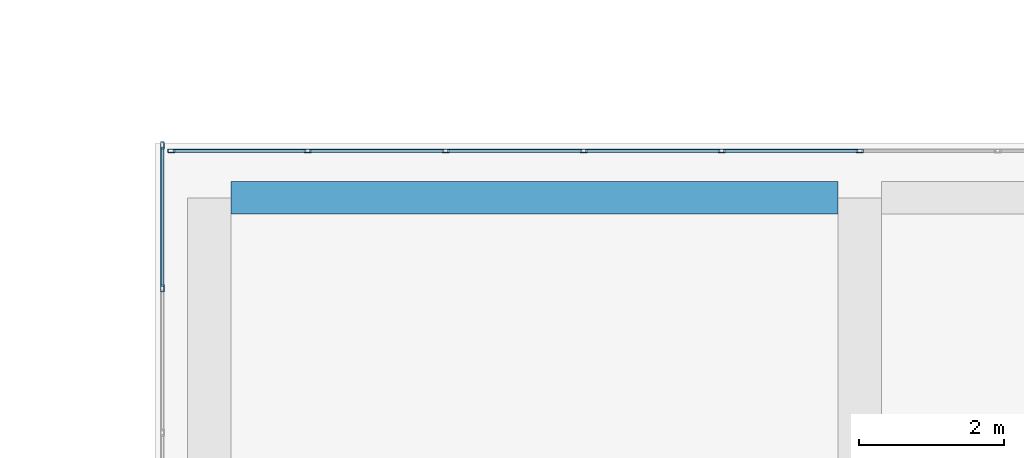
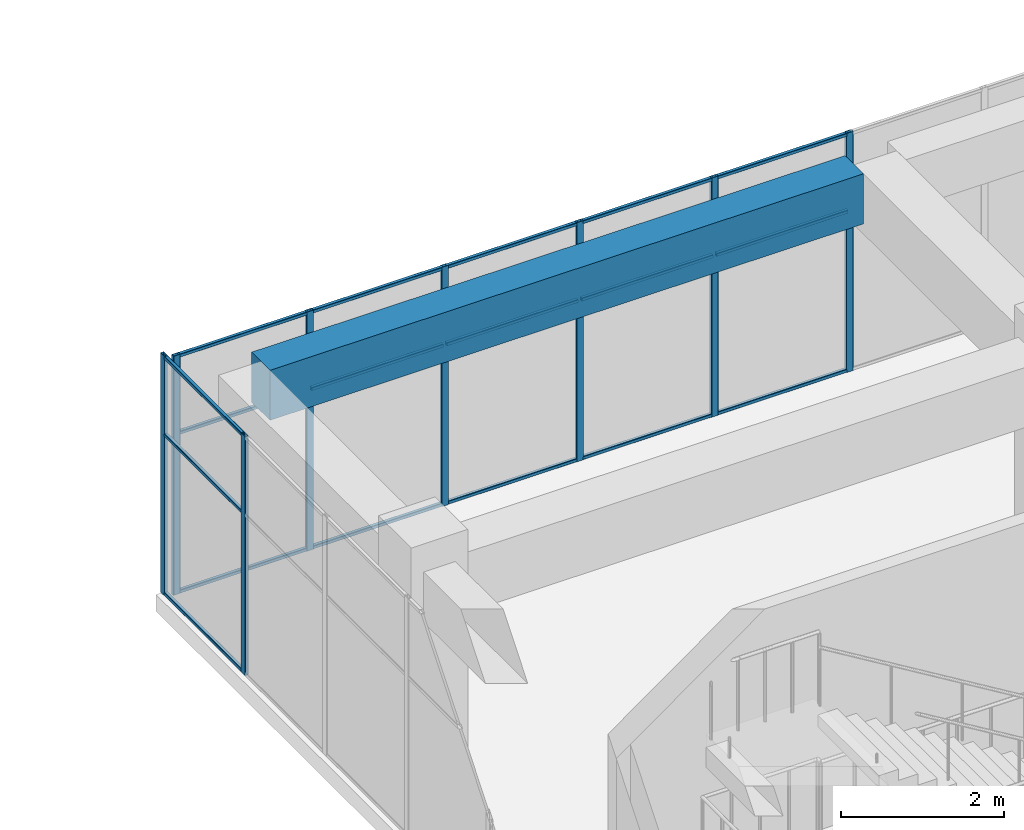
# One storey, part 42 of 72: 26 members, 1 beam, 2 elements without a shape of their own.
"""IFC4 building model written with IfcOpenShell, lengths in metres."""

import ifcopenshell
import ifcopenshell.guid

model = None  # the IFC model being written
_history = None  # IfcOwnerHistory: only IFC2X3 demands one
_inside = {}  # id of a spatial element -> (the spatial element, [elements in it])
_under = {}  # id of a project, library or spatial element -> (it, [spatial elements below it])
_declared = {}  # id of a project -> (the project, [libraries it declares])
_typed = {}  # id of a type object -> (the type object, [elements of that type])
_made_of = {}  # id of a material, layer set ... -> (it, [elements and type objects made of it])


def new_model(schema):
    """Start an empty IFC model of exactly this schema.

    Asked for "IFC4X3", IfcOpenShell would pick the latest addendum, in which some entities
    have other attributes; the version numbers below select the first issue.
    IFC2X3 requires an IfcOwnerHistory on every rooted entity: one is made here for all.
    """
    global model, _history
    if schema == "IFC4X3":
        model = ifcopenshell.file(schema_version=(4, 3, 0, 0))
    else:
        model = ifcopenshell.file(schema=schema)
    _inside.clear()
    _under.clear()
    _declared.clear()
    _typed.clear()
    _made_of.clear()
    _history = None
    if model.schema == "IFC2X3":
        org = make("IfcOrganization", Name="unknown")
        user = make(
            "IfcPersonAndOrganization",
            ThePerson=make("IfcPerson", FamilyName="unknown"),
            TheOrganization=org,
        )
        app = make(
            "IfcApplication",
            ApplicationDeveloper=org,
            Version="unknown",
            ApplicationFullName="unknown",
            ApplicationIdentifier="unknown",
        )
        _history = make(
            "IfcOwnerHistory",
            OwningUser=user,
            OwningApplication=app,
            ChangeAction="ADDED",
            CreationDate=0,
        )
    return model


def make(cls, **values):
    """One entity of the class cls with the attributes given. An attribute that is None is left unset."""
    return model.create_entity(
        cls, **{name: value for name, value in values.items() if value is not None}
    )


def rooted(cls, **values):
    """An entity with a GlobalId (a new one), such as an element, a storey or a relation."""
    return make(cls, GlobalId=ifcopenshell.guid.new(), OwnerHistory=_history, **values)


def si_unit(unit_type, name, prefix=None):
    """IfcSIUnit, for example si_unit("LENGTHUNIT", "METRE", prefix="MILLI")."""
    return make("IfcSIUnit", UnitType=unit_type, Prefix=prefix, Name=name)


def assignment(units):
    """IfcUnitAssignment: the units of a project."""
    return None if units is None else make("IfcUnitAssignment", Units=units)


def point(xyz):
    """IfcCartesianPoint."""
    return None if xyz is None else make("IfcCartesianPoint", Coordinates=xyz)


def direction(xyz):
    """IfcDirection."""
    return None if xyz is None else make("IfcDirection", DirectionRatios=xyz)


def frame(location, z_axis=None, x_axis=None):
    """IfcAxis2Placement3D, a coordinate frame: its origin and axes. An axis left out is left unset."""
    return make(
        "IfcAxis2Placement3D",
        Location=point(location),
        Axis=direction(z_axis),
        RefDirection=direction(x_axis),
    )


def frame_2d(location, x_axis=None):
    """IfcAxis2Placement2D, a coordinate frame in the plane: its origin and x axis."""
    return make(
        "IfcAxis2Placement2D", Location=point(location), RefDirection=direction(x_axis)
    )


def origin():
    """The frame at (0, 0, 0) with its axes left unset."""
    return frame((0.0, 0.0, 0.0))


def origin_2d():
    """The frame at (0, 0) in the plane with its x axis left unset."""
    return frame_2d((0.0, 0.0))


def place(relative_to, where):
    """IfcLocalPlacement: puts the frame where relative to a parent placement (None: the world)."""
    return make(
        "IfcLocalPlacement", PlacementRelTo=relative_to, RelativePlacement=where
    )


def context(
    kind, dimensions, precision=None, world=None, true_north=None, identifier=None
):
    """IfcGeometricRepresentationContext, for example the 3D "Model" context."""
    return make(
        "IfcGeometricRepresentationContext",
        ContextIdentifier=identifier,
        ContextType=kind,
        CoordinateSpaceDimension=dimensions,
        Precision=precision,
        WorldCoordinateSystem=world,
        TrueNorth=true_north,
    )


def subcontext(parent, identifier, kind, view, scale=None):
    """IfcGeometricRepresentationSubContext, for example "Body" below "Model"."""
    return make(
        "IfcGeometricRepresentationSubContext",
        ContextIdentifier=identifier,
        ContextType=kind,
        ParentContext=parent,
        TargetScale=scale,
        TargetView=view,
    )


def project(units=None, contexts=None):
    """IfcProject with its units and contexts."""
    return rooted(
        "IfcProject",
        Name="project",
        RepresentationContexts=contexts,
        UnitsInContext=assignment(units),
    )


def spatial(cls, under=None, at=None, **own):
    """A site, building, storey or space (cls), placed at a placement, below another one or the project."""
    s = rooted(cls, ObjectPlacement=at, **own)
    if under is not None:
        _under.setdefault(under.id(), (under, []))[1].append(s)
    return s


def profile(cls, at=None, kind="AREA", **sizes):
    """A parametric profile (cls). Its sizes go by their IFC names, for example OverallWidth=200.0."""
    return make(cls, ProfileType=kind, Position=at, **sizes)


def rectangle(**sizes):
    """IfcRectangleProfileDef."""
    return profile("IfcRectangleProfileDef", **sizes)


def hollow_rectangle(**sizes):
    """IfcRectangleHollowProfileDef."""
    return profile("IfcRectangleHollowProfileDef", **sizes)


def extrude(swept, where, along, depth):
    """IfcExtrudedAreaSolid: the profile swept, set in the frame where, extruded along a direction by depth."""
    return make(
        "IfcExtrudedAreaSolid",
        SweptArea=swept,
        Position=where,
        ExtrudedDirection=direction(along),
        Depth=depth,
    )


def shape(context_of_items, identifier, shape_type, items):
    """IfcShapeRepresentation: the items that make up one representation, for example the "Body"."""
    return make(
        "IfcShapeRepresentation",
        ContextOfItems=context_of_items,
        RepresentationIdentifier=identifier,
        RepresentationType=shape_type,
        Items=items,
    )


def material(Name=None, Category=None):
    """IfcMaterial."""
    return make("IfcMaterial", Name=Name, Category=Category)


def layer(
    of_material, thickness, ventilated=None, Name=None, Category=None, Priority=None
):
    """IfcMaterialLayer: one layer of a wall or slab, of a material (None: an air gap)."""
    return make(
        "IfcMaterialLayer",
        Material=of_material,
        LayerThickness=thickness,
        IsVentilated=ventilated,
        Name=Name,
        Category=Category,
        Priority=Priority,
    )


def layer_set(layers, Name=None):
    """IfcMaterialLayerSet."""
    return make("IfcMaterialLayerSet", MaterialLayers=layers, LayerSetName=Name)


def material_profile(
    of_material, cross_section, Name=None, Category=None, Priority=None
):
    """IfcMaterialProfile: a cross section and its material."""
    return make(
        "IfcMaterialProfile",
        Name=Name,
        Material=of_material,
        Profile=cross_section,
        Priority=Priority,
        Category=Category,
    )


def profile_set(profiles, Name=None, composite=None):
    """IfcMaterialProfileSet."""
    return make(
        "IfcMaterialProfileSet",
        Name=Name,
        MaterialProfiles=profiles,
        CompositeProfile=composite,
    )


def made_of(thing, what):
    """Note that an element or type object is made of a material, layer set ...; save() writes the relation."""
    if what is not None:
        _made_of.setdefault(what.id(), (what, []))[1].append(thing)
    return thing


def type_object(cls, material=None, **own):
    """A type object (cls), such as IfcWallType, which elements share."""
    return made_of(rooted(cls, **own), material)


def element(
    cls,
    number,
    at=None,
    inside=None,
    cuts=None,
    type_object=None,
    material=None,
    context=None,
    identifier="Body",
    shape_type=None,
    held_by="IfcProductDefinitionShape",
    body=None,
    shapes=None,
    **own,
):
    """One element of the class cls, such as IfcWall. Its Tag is "e" and its number.

    at: its placement. inside: the storey or other place that contains it. cuts: it is an
    opening in that element (IfcRelVoidsElement). A single representation is given by context,
    identifier, shape_type and body (its items); several are given by shapes. held_by: the class
    of the entity that holds the representations. save() writes the other relations.
    """
    e = rooted(cls, Tag="e%d" % number, ObjectPlacement=at, **own)
    if body is not None:
        shapes = [shape(context, identifier, shape_type, body)]
    if shapes is not None:
        e.Representation = make(held_by, Representations=shapes)
    if inside is not None:
        _inside.setdefault(inside.id(), (inside, []))[1].append(e)
    if cuts is not None:
        rooted(
            "IfcRelVoidsElement", RelatingBuildingElement=cuts, RelatedOpeningElement=e
        )
    if type_object is not None:
        _typed.setdefault(type_object.id(), (type_object, []))[1].append(e)
    return made_of(e, material)


def aggregate(whole, parts):
    """IfcRelAggregates: a whole, such as a stair, and the parts it consists of."""
    return rooted("IfcRelAggregates", RelatingObject=whole, RelatedObjects=parts)


def save(model, path):
    """Write the relations noted so far, then the file.

    IfcRelAggregates (storeys below a building ...), IfcRelContainedInSpatialStructure (elements
    in a storey), IfcRelDefinesByType, IfcRelAssociatesMaterial and IfcRelDeclares: one each for
    every whole, place, type object, material and project.
    """
    for whole, parts in _under.values():
        aggregate(whole, parts)
    for where, things in _inside.values():
        rooted(
            "IfcRelContainedInSpatialStructure",
            RelatedElements=things,
            RelatingStructure=where,
        )
    for kind, things in _typed.values():
        rooted("IfcRelDefinesByType", RelatedObjects=things, RelatingType=kind)
    for what, things in _made_of.values():
        rooted("IfcRelAssociatesMaterial", RelatedObjects=things, RelatingMaterial=what)
    for by, libraries in _declared.values():
        rooted("IfcRelDeclares", RelatingContext=by, RelatedDefinitions=libraries)
    model.write(path)


model = new_model("IFC4")

# Units and contexts
model_context = context("Model", 3, precision=1e-05, world=origin(), true_north=direction((0.0, 1.0)))
body_context = subcontext(model_context, "Body", "Model", "MODEL_VIEW")
ifc_project = project(units=[si_unit("LENGTHUNIT", "METRE"), si_unit("AREAUNIT", "SQUARE_METRE"), si_unit("VOLUMEUNIT", "CUBIC_METRE"), si_unit("PLANEANGLEUNIT", "RADIAN"), si_unit("MASSUNIT", "GRAM", prefix="KILO")], contexts=[model_context])

# Site, building, storey
site_placement = place(None, origin())
site = spatial("IfcSite", under=ifc_project, at=site_placement, CompositionType="ELEMENT")
building_placement = place(site_placement, origin())
building = spatial("IfcBuilding", under=site, at=building_placement, Name="Tuart Plaza Theatre", CompositionType="ELEMENT")
storey_placement = place(building_placement, frame((0.0, 0.0, 13.5)))
storey = spatial("IfcBuildingStorey", under=building, at=storey_placement, Name="L03", CompositionType="ELEMENT", Elevation=13.5)

# Beam
ifc_material_1 = material(Name="Concrete N40 (40 MPa)", Category="concrete")
ifc_material_profile_1 = material_profile(ifc_material_1, rectangle(XDim=0.449951171875, YDim=0.75, at=origin_2d()), Name="BEAM 450x750 Concrete N40 (40 MPa)")
ifc_profile_set_1 = profile_set([ifc_material_profile_1], Name="Concrete N40 (40 MPa)")
beam_type = type_object("IfcBeamType", Name="BEAM 450x750 Concrete N40 (40 MPa)", PredefinedType="BEAM", material=ifc_profile_set_1)
beam_placement = place(storey_placement, frame((114.300048828125, 96.5, 3.205078125), z_axis=(1.0, 0.0, 0.0), x_axis=(0.0, 1.0, 0.0)))
element("IfcBeam", 1, at=beam_placement, inside=storey, type_object=beam_type, Name="RB172", PredefinedType="BEAM", context=body_context, shape_type="SweptSolid", body=[
    extrude(rectangle(XDim=0.449951171875, YDim=0.75, at=origin_2d()), origin(), (0.0, 0.0, 1.0), 8.39990234375),
])

# Curtain wall, members
ifc_material_2 = material(Name="Aluminium and glass", Category="aluminium")
ifc_layer = layer(ifc_material_2, 0.10009765625)
ifc_layer_set = layer_set([ifc_layer], Name="CURTAIN WALL 2000 module")
curtain_wall_type = type_object("IfcCurtainWallType", Name="CURTAIN WALL 2000 module", PredefinedType="NOTDEFINED", material=ifc_layer_set)
curtain_wall_1_placement = place(storey_placement, origin())
curtain_wall_1 = element("IfcCurtainWall", 2, at=curtain_wall_1_placement, inside=storey, type_object=curtain_wall_type, Name="CW72", PredefinedType="NOTDEFINED")
ifc_material_3 = material(Name="Aluminium 6063-T5", Category="aluminium")
ifc_material_profile_2 = material_profile(ifc_material_3, hollow_rectangle(XDim=0.050048828125, YDim=0.10009765625, WallThickness=0.00390625, InnerFilletRadius=0.00390625, OuterFilletRadius=0.008056640625, at=origin_2d()), Name="RHS 100x50x4")
ifc_profile_set_2 = profile_set([ifc_material_profile_2], Name="Aluminium 6063-T5")
member_type_1 = type_object("IfcMemberType", Name="MULLION RHS 100x50x4", PredefinedType="MULLION", material=ifc_profile_set_2)
member_1_placement = place(storey_placement, frame((123.0, 97.14990234375, 0.0), z_axis=(0.0, 0.0, 1.0), x_axis=(0.0, -1.0, 0.0)))
member_1 = element("IfcMember", 3, at=member_1_placement, type_object=member_type_1, Name="CW72 mullion 6", PredefinedType="MULLION", context=body_context, shape_type="SweptSolid", body=[
    extrude(hollow_rectangle(XDim=0.050048828125, YDim=0.10009765625, WallThickness=0.00390625, InnerFilletRadius=0.00390625, OuterFilletRadius=0.008056640625, at=origin_2d()), origin(), (0.0, 0.0, 1.0), 3.580078125),
])
member_2_placement = place(storey_placement, frame((121.090087890625, 97.14990234375, 0.0), z_axis=(0.0, 0.0, 1.0), x_axis=(0.0, -1.0, 0.0)))
member_2 = element("IfcMember", 4, at=member_2_placement, type_object=member_type_1, Name="CW72 mullion 7", PredefinedType="MULLION", context=body_context, shape_type="SweptSolid", body=[
    extrude(hollow_rectangle(XDim=0.050048828125, YDim=0.10009765625, WallThickness=0.00390625, InnerFilletRadius=0.00390625, OuterFilletRadius=0.008056640625, at=origin_2d()), origin(), (0.0, 0.0, 1.0), 3.580078125),
])
member_3_placement = place(storey_placement, frame((119.179931640625, 97.14990234375, 0.0), z_axis=(0.0, 0.0, 1.0), x_axis=(0.0, -1.0, 0.0)))
member_3 = element("IfcMember", 5, at=member_3_placement, type_object=member_type_1, Name="CW72 mullion 8", PredefinedType="MULLION", context=body_context, shape_type="SweptSolid", body=[
    extrude(hollow_rectangle(XDim=0.050048828125, YDim=0.10009765625, WallThickness=0.00390625, InnerFilletRadius=0.00390625, OuterFilletRadius=0.008056640625, at=origin_2d()), origin(), (0.0, 0.0, 1.0), 3.580078125),
])
member_4_placement = place(storey_placement, frame((117.27001953125, 97.14990234375, 0.0), z_axis=(0.0, 0.0, 1.0), x_axis=(0.0, -1.0, 0.0)))
member_4 = element("IfcMember", 6, at=member_4_placement, type_object=member_type_1, Name="CW72 mullion 9", PredefinedType="MULLION", context=body_context, shape_type="SweptSolid", body=[
    extrude(hollow_rectangle(XDim=0.050048828125, YDim=0.10009765625, WallThickness=0.00390625, InnerFilletRadius=0.00390625, OuterFilletRadius=0.008056640625, at=origin_2d()), origin(), (0.0, 0.0, 1.0), 3.580078125),
])
member_5_placement = place(storey_placement, frame((115.360107421875, 97.14990234375, 0.0), z_axis=(0.0, 0.0, 1.0), x_axis=(0.0, -1.0, 0.0)))
member_5 = element("IfcMember", 7, at=member_5_placement, type_object=member_type_1, Name="CW72 mullion 10", PredefinedType="MULLION", context=body_context, shape_type="SweptSolid", body=[
    extrude(hollow_rectangle(XDim=0.050048828125, YDim=0.10009765625, WallThickness=0.00390625, InnerFilletRadius=0.00390625, OuterFilletRadius=0.008056640625, at=origin_2d()), origin(), (0.0, 0.0, 1.0), 3.580078125),
])
member_6_placement = place(storey_placement, frame((113.47509765625, 97.14990234375, 0.0), z_axis=(0.0, 0.0, 1.0), x_axis=(0.0, -1.0, 0.0)))
member_6 = element("IfcMember", 8, at=member_6_placement, type_object=member_type_1, Name="CW72 mullion 11", PredefinedType="MULLION", context=body_context, shape_type="SweptSolid", body=[
    extrude(hollow_rectangle(XDim=0.050048828125, YDim=0.10009765625, WallThickness=0.00390625, InnerFilletRadius=0.00390625, OuterFilletRadius=0.008056640625, at=origin_2d()), origin(), (0.0, 0.0, 1.0), 3.580078125),
])

curtain_wall_2_placement = place(storey_placement, origin())
curtain_wall_2 = element("IfcCurtainWall", 9, at=curtain_wall_2_placement, inside=storey, type_object=curtain_wall_type, Name="CW73", PredefinedType="NOTDEFINED")
member_7_placement = place(storey_placement, frame((113.35009765625, 97.22509765625, 0.0), z_axis=(0.0, 0.0, 1.0), x_axis=(1.0, 0.0, 0.0)))
member_7 = element("IfcMember", 10, at=member_7_placement, type_object=member_type_1, Name="CW73 mullion 1", PredefinedType="MULLION", context=body_context, shape_type="SweptSolid", body=[
    extrude(hollow_rectangle(XDim=0.050048828125, YDim=0.10009765625, WallThickness=0.00390625, InnerFilletRadius=0.00390625, OuterFilletRadius=0.008056640625, at=origin_2d()), origin(), (0.0, 0.0, 1.0), 3.580078125),
])
member_8_placement = place(storey_placement, frame((113.35009765625, 95.25, 0.0), z_axis=(0.0, 0.0, 1.0), x_axis=(1.0, 0.0, 0.0)))
member_8 = element("IfcMember", 11, at=member_8_placement, type_object=member_type_1, Name="CW73 mullion 2", PredefinedType="MULLION", context=body_context, shape_type="SweptSolid", body=[
    extrude(hollow_rectangle(XDim=0.050048828125, YDim=0.10009765625, WallThickness=0.00390625, InnerFilletRadius=0.00390625, OuterFilletRadius=0.008056640625, at=origin_2d()), origin(), (0.0, 0.0, 1.0), 3.580078125),
])

# Member
ifc_material_4 = material(Name="Aluminium 6063-T5", Category="aluminium")
ifc_material_profile_3 = material_profile(ifc_material_4, hollow_rectangle(XDim=0.050048828125, YDim=0.050048828125, WallThickness=0.00390625, InnerFilletRadius=0.00390625, OuterFilletRadius=0.008056640625, at=origin_2d()), Name="RHS 50x50x4")
ifc_profile_set_3 = profile_set([ifc_material_profile_3], Name="Aluminium 6063-T5")
member_type_2 = type_object("IfcMemberType", Name="TRANSOM RHS 50x50x4", PredefinedType="USERDEFINED", material=ifc_profile_set_3)
member_9_placement = place(storey_placement, frame((122.97509765625, 97.14990234375, 0.02490234375), z_axis=(-1.0, 0.0, 0.0), x_axis=(0.0, -1.0, 0.0)))
member_9 = element("IfcMember", 12, at=member_9_placement, type_object=member_type_2, Name="CW72 transom 6.1", ObjectType="TRANSOM", PredefinedType="USERDEFINED", context=body_context, shape_type="SweptSolid", body=[
    extrude(hollow_rectangle(XDim=0.050048828125, YDim=0.050048828125, WallThickness=0.00390625, InnerFilletRadius=0.00390625, OuterFilletRadius=0.008056640625, at=origin_2d()), origin(), (0.0, 0.0, 1.0), 1.860107421875),
])

member_10_placement = place(storey_placement, frame((122.97509765625, 97.14990234375, 2.39990234375), z_axis=(-1.0, 0.0, 0.0), x_axis=(0.0, -1.0, 0.0)))
member_10 = element("IfcMember", 13, at=member_10_placement, type_object=member_type_2, Name="CW72 transom 6.2", ObjectType="TRANSOM", PredefinedType="USERDEFINED", context=body_context, shape_type="SweptSolid", body=[
    extrude(hollow_rectangle(XDim=0.050048828125, YDim=0.050048828125, WallThickness=0.00390625, InnerFilletRadius=0.00390625, OuterFilletRadius=0.008056640625, at=origin_2d()), origin(), (0.0, 0.0, 1.0), 1.860107421875),
])

member_11_placement = place(storey_placement, frame((122.97509765625, 97.14990234375, 3.554931640625), z_axis=(-1.0, 0.0, 0.0), x_axis=(0.0, -1.0, 0.0)))
member_11 = element("IfcMember", 14, at=member_11_placement, type_object=member_type_2, Name="CW72 transom 6.3", ObjectType="TRANSOM", PredefinedType="USERDEFINED", context=body_context, shape_type="SweptSolid", body=[
    extrude(hollow_rectangle(XDim=0.050048828125, YDim=0.050048828125, WallThickness=0.00390625, InnerFilletRadius=0.00390625, OuterFilletRadius=0.008056640625, at=origin_2d()), origin(), (0.0, 0.0, 1.0), 1.860107421875),
])

member_12_placement = place(storey_placement, frame((121.06494140625, 97.14990234375, 0.02490234375), z_axis=(-1.0, 0.0, 0.0), x_axis=(0.0, -1.0, 0.0)))
member_12 = element("IfcMember", 15, at=member_12_placement, type_object=member_type_2, Name="CW72 transom 7.1", ObjectType="TRANSOM", PredefinedType="USERDEFINED", context=body_context, shape_type="SweptSolid", body=[
    extrude(hollow_rectangle(XDim=0.050048828125, YDim=0.050048828125, WallThickness=0.00390625, InnerFilletRadius=0.00390625, OuterFilletRadius=0.008056640625, at=origin_2d()), origin(), (0.0, 0.0, 1.0), 1.85986328125),
])

member_13_placement = place(storey_placement, frame((121.06494140625, 97.14990234375, 2.39990234375), z_axis=(-1.0, 0.0, 0.0), x_axis=(0.0, -1.0, 0.0)))
member_13 = element("IfcMember", 16, at=member_13_placement, type_object=member_type_2, Name="CW72 transom 7.2", ObjectType="TRANSOM", PredefinedType="USERDEFINED", context=body_context, shape_type="SweptSolid", body=[
    extrude(hollow_rectangle(XDim=0.050048828125, YDim=0.050048828125, WallThickness=0.00390625, InnerFilletRadius=0.00390625, OuterFilletRadius=0.008056640625, at=origin_2d()), origin(), (0.0, 0.0, 1.0), 1.85986328125),
])

member_14_placement = place(storey_placement, frame((121.06494140625, 97.14990234375, 3.554931640625), z_axis=(-1.0, 0.0, 0.0), x_axis=(0.0, -1.0, 0.0)))
member_14 = element("IfcMember", 17, at=member_14_placement, type_object=member_type_2, Name="CW72 transom 7.3", ObjectType="TRANSOM", PredefinedType="USERDEFINED", context=body_context, shape_type="SweptSolid", body=[
    extrude(hollow_rectangle(XDim=0.050048828125, YDim=0.050048828125, WallThickness=0.00390625, InnerFilletRadius=0.00390625, OuterFilletRadius=0.008056640625, at=origin_2d()), origin(), (0.0, 0.0, 1.0), 1.85986328125),
])

member_15_placement = place(storey_placement, frame((119.155029296875, 97.14990234375, 0.02490234375), z_axis=(-1.0, 0.0, 0.0), x_axis=(0.0, -1.0, 0.0)))
member_15 = element("IfcMember", 18, at=member_15_placement, type_object=member_type_2, Name="CW72 transom 8.1", ObjectType="TRANSOM", PredefinedType="USERDEFINED", context=body_context, shape_type="SweptSolid", body=[
    extrude(hollow_rectangle(XDim=0.050048828125, YDim=0.050048828125, WallThickness=0.00390625, InnerFilletRadius=0.00390625, OuterFilletRadius=0.008056640625, at=origin_2d()), origin(), (0.0, 0.0, 1.0), 1.860107421875),
])

member_16_placement = place(storey_placement, frame((119.155029296875, 97.14990234375, 2.39990234375), z_axis=(-1.0, 0.0, 0.0), x_axis=(0.0, -1.0, 0.0)))
member_16 = element("IfcMember", 19, at=member_16_placement, type_object=member_type_2, Name="CW72 transom 8.2", ObjectType="TRANSOM", PredefinedType="USERDEFINED", context=body_context, shape_type="SweptSolid", body=[
    extrude(hollow_rectangle(XDim=0.050048828125, YDim=0.050048828125, WallThickness=0.00390625, InnerFilletRadius=0.00390625, OuterFilletRadius=0.008056640625, at=origin_2d()), origin(), (0.0, 0.0, 1.0), 1.860107421875),
])

member_17_placement = place(storey_placement, frame((119.155029296875, 97.14990234375, 3.554931640625), z_axis=(-1.0, 0.0, 0.0), x_axis=(0.0, -1.0, 0.0)))
member_17 = element("IfcMember", 20, at=member_17_placement, type_object=member_type_2, Name="CW72 transom 8.3", ObjectType="TRANSOM", PredefinedType="USERDEFINED", context=body_context, shape_type="SweptSolid", body=[
    extrude(hollow_rectangle(XDim=0.050048828125, YDim=0.050048828125, WallThickness=0.00390625, InnerFilletRadius=0.00390625, OuterFilletRadius=0.008056640625, at=origin_2d()), origin(), (0.0, 0.0, 1.0), 1.860107421875),
])

member_18_placement = place(storey_placement, frame((117.2451171875, 97.14990234375, 0.02490234375), z_axis=(-1.0, 0.0, 0.0), x_axis=(0.0, -1.0, 0.0)))
member_18 = element("IfcMember", 21, at=member_18_placement, type_object=member_type_2, Name="CW72 transom 9.1", ObjectType="TRANSOM", PredefinedType="USERDEFINED", context=body_context, shape_type="SweptSolid", body=[
    extrude(hollow_rectangle(XDim=0.050048828125, YDim=0.050048828125, WallThickness=0.00390625, InnerFilletRadius=0.00390625, OuterFilletRadius=0.008056640625, at=origin_2d()), origin(), (0.0, 0.0, 1.0), 1.860107421875),
])

member_19_placement = place(storey_placement, frame((117.2451171875, 97.14990234375, 2.39990234375), z_axis=(-1.0, 0.0, 0.0), x_axis=(0.0, -1.0, 0.0)))
member_19 = element("IfcMember", 22, at=member_19_placement, type_object=member_type_2, Name="CW72 transom 9.2", ObjectType="TRANSOM", PredefinedType="USERDEFINED", context=body_context, shape_type="SweptSolid", body=[
    extrude(hollow_rectangle(XDim=0.050048828125, YDim=0.050048828125, WallThickness=0.00390625, InnerFilletRadius=0.00390625, OuterFilletRadius=0.008056640625, at=origin_2d()), origin(), (0.0, 0.0, 1.0), 1.860107421875),
])

member_20_placement = place(storey_placement, frame((117.2451171875, 97.14990234375, 3.554931640625), z_axis=(-1.0, 0.0, 0.0), x_axis=(0.0, -1.0, 0.0)))
member_20 = element("IfcMember", 23, at=member_20_placement, type_object=member_type_2, Name="CW72 transom 9.3", ObjectType="TRANSOM", PredefinedType="USERDEFINED", context=body_context, shape_type="SweptSolid", body=[
    extrude(hollow_rectangle(XDim=0.050048828125, YDim=0.050048828125, WallThickness=0.00390625, InnerFilletRadius=0.00390625, OuterFilletRadius=0.008056640625, at=origin_2d()), origin(), (0.0, 0.0, 1.0), 1.860107421875),
])

member_21_placement = place(storey_placement, frame((115.3349609375, 97.14990234375, 0.02490234375), z_axis=(-1.0, 0.0, 0.0), x_axis=(0.0, -1.0, 0.0)))
member_21 = element("IfcMember", 24, at=member_21_placement, type_object=member_type_2, Name="CW72 transom 10.1", ObjectType="TRANSOM", PredefinedType="USERDEFINED", context=body_context, shape_type="SweptSolid", body=[
    extrude(hollow_rectangle(XDim=0.050048828125, YDim=0.050048828125, WallThickness=0.00390625, InnerFilletRadius=0.00390625, OuterFilletRadius=0.008056640625, at=origin_2d()), origin(), (0.0, 0.0, 1.0), 1.8349609375),
])

member_22_placement = place(storey_placement, frame((115.3349609375, 97.14990234375, 2.39990234375), z_axis=(-1.0, 0.0, 0.0), x_axis=(0.0, -1.0, 0.0)))
member_22 = element("IfcMember", 25, at=member_22_placement, type_object=member_type_2, Name="CW72 transom 10.2", ObjectType="TRANSOM", PredefinedType="USERDEFINED", context=body_context, shape_type="SweptSolid", body=[
    extrude(hollow_rectangle(XDim=0.050048828125, YDim=0.050048828125, WallThickness=0.00390625, InnerFilletRadius=0.00390625, OuterFilletRadius=0.008056640625, at=origin_2d()), origin(), (0.0, 0.0, 1.0), 1.8349609375),
])

member_23_placement = place(storey_placement, frame((115.3349609375, 97.14990234375, 3.554931640625), z_axis=(-1.0, 0.0, 0.0), x_axis=(0.0, -1.0, 0.0)))
member_23 = element("IfcMember", 26, at=member_23_placement, type_object=member_type_2, Name="CW72 transom 10.3", ObjectType="TRANSOM", PredefinedType="USERDEFINED", context=body_context, shape_type="SweptSolid", body=[
    extrude(hollow_rectangle(XDim=0.050048828125, YDim=0.050048828125, WallThickness=0.00390625, InnerFilletRadius=0.00390625, OuterFilletRadius=0.008056640625, at=origin_2d()), origin(), (0.0, 0.0, 1.0), 1.8349609375),
])

aggregate(curtain_wall_1, [member_1, member_2, member_3, member_4, member_5, member_6, member_9, member_10, member_11, member_12, member_13, member_14, member_15, member_16, member_17, member_18, member_19, member_20, member_21, member_22, member_23])

member_24_placement = place(storey_placement, frame((113.35009765625, 97.199951171875, 0.02490234375), z_axis=(0.0, -1.0, 0.0), x_axis=(1.0, 0.0, 0.0)))
member_24 = element("IfcMember", 27, at=member_24_placement, type_object=member_type_2, Name="CW73 transom 1.1", ObjectType="TRANSOM", PredefinedType="USERDEFINED", context=body_context, shape_type="SweptSolid", body=[
    extrude(hollow_rectangle(XDim=0.050048828125, YDim=0.050048828125, WallThickness=0.00390625, InnerFilletRadius=0.00390625, OuterFilletRadius=0.008056640625, at=origin_2d()), origin(), (0.0, 0.0, 1.0), 1.925048828125),
])

member_25_placement = place(storey_placement, frame((113.35009765625, 97.199951171875, 2.39990234375), z_axis=(0.0, -1.0, 0.0), x_axis=(1.0, 0.0, 0.0)))
member_25 = element("IfcMember", 28, at=member_25_placement, type_object=member_type_2, Name="CW73 transom 1.2", ObjectType="TRANSOM", PredefinedType="USERDEFINED", context=body_context, shape_type="SweptSolid", body=[
    extrude(hollow_rectangle(XDim=0.050048828125, YDim=0.050048828125, WallThickness=0.00390625, InnerFilletRadius=0.00390625, OuterFilletRadius=0.008056640625, at=origin_2d()), origin(), (0.0, 0.0, 1.0), 1.925048828125),
])

member_26_placement = place(storey_placement, frame((113.35009765625, 97.199951171875, 3.554931640625), z_axis=(0.0, -1.0, 0.0), x_axis=(1.0, 0.0, 0.0)))
member_26 = element("IfcMember", 29, at=member_26_placement, type_object=member_type_2, Name="CW73 transom 1.3", ObjectType="TRANSOM", PredefinedType="USERDEFINED", context=body_context, shape_type="SweptSolid", body=[
    extrude(hollow_rectangle(XDim=0.050048828125, YDim=0.050048828125, WallThickness=0.00390625, InnerFilletRadius=0.00390625, OuterFilletRadius=0.008056640625, at=origin_2d()), origin(), (0.0, 0.0, 1.0), 1.925048828125),
])

aggregate(curtain_wall_2, [member_7, member_8, member_24, member_25, member_26])

save(model, "model.ifc")
